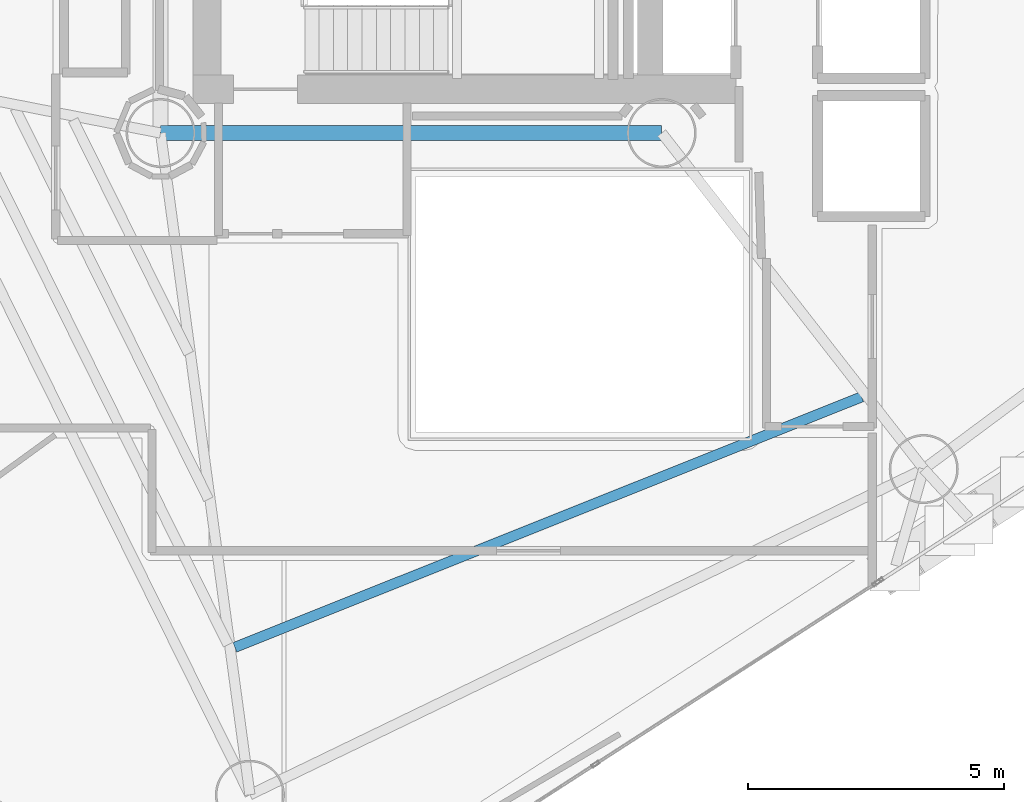
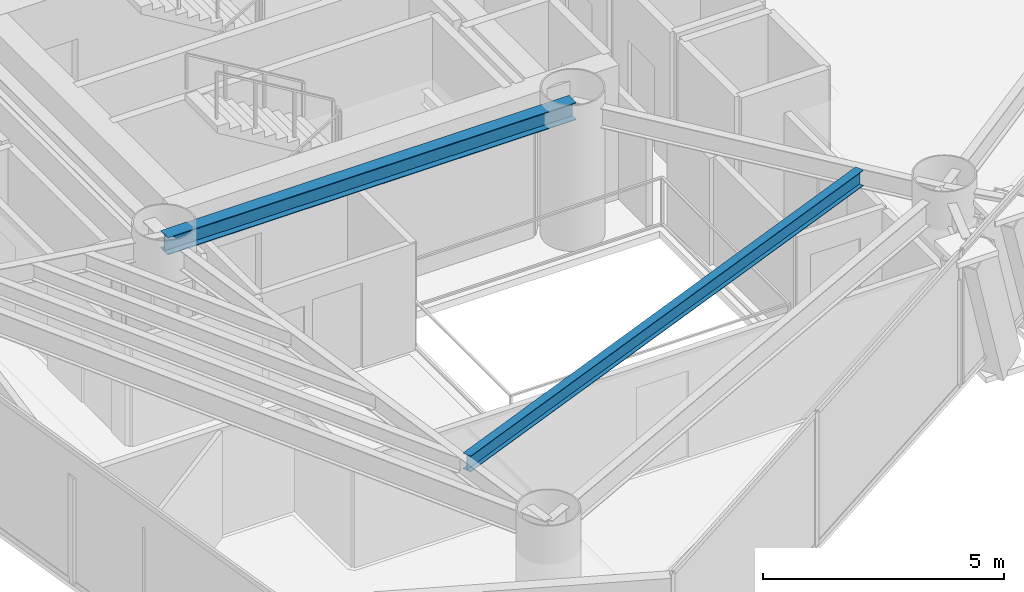
# One storey, part 4 of 22: 2 beams.
"""IFC4 building model written with IfcOpenShell, lengths in metres."""

from ifc_helpers import new_model, si_unit, direction, frame, origin, origin_2d, place, context, subcontext, project, spatial, i_section, extrude, material, material_profile, profile_set, type_object, element, save


model = new_model("IFC4")

# Units and contexts
model_context = context("Model", 3, precision=1e-05, world=origin(), true_north=direction((0.0, 1.0)))
body_context = subcontext(model_context, "Body", "Model", "MODEL_VIEW")
ifc_project = project(units=[si_unit("LENGTHUNIT", "METRE"), si_unit("AREAUNIT", "SQUARE_METRE"), si_unit("VOLUMEUNIT", "CUBIC_METRE"), si_unit("PLANEANGLEUNIT", "RADIAN"), si_unit("MASSUNIT", "GRAM", prefix="KILO")], contexts=[model_context])

# Site, building, storey
site_placement = place(None, origin())
site = spatial("IfcSite", under=ifc_project, at=site_placement, CompositionType="ELEMENT")
building_placement = place(site_placement, origin())
building = spatial("IfcBuilding", under=site, at=building_placement, Name="Qianvela Tower", CompositionType="ELEMENT")
storey_placement = place(building_placement, frame((0.0, 0.0, 180.89990234375)))
storey = spatial("IfcBuildingStorey", under=building, at=storey_placement, Name="L46", CompositionType="ELEMENT", Elevation=180.89990234375)

# Beams
ifc_material_1 = material(Name="Steel Q355B", Category="steel")
ifc_material_profile_1 = material_profile(ifc_material_1, i_section(OverallWidth=0.300048828125, OverallDepth=0.43994140625, WebThickness=0.010986328125, FlangeThickness=0.01806640625, at=origin_2d()), Name="HM440x300x11x18")
ifc_profile_set_1 = profile_set([ifc_material_profile_1], Name="Steel Q355B")
beam_type_1 = type_object("IfcBeamType", Name="BM-HM440-COLL", PredefinedType="BEAM", material=ifc_profile_set_1)
beam_1_placement = place(storey_placement, frame((28.60009765625, 23.85009765625, 3.177978515625), z_axis=(1.0, 0.0, 0.0), x_axis=(0.0, 1.0, 0.0)))
element("IfcBeam", 1, at=beam_1_placement, inside=storey, type_object=beam_type_1, Name="L46 Core Ring Collector Girder CC1", PredefinedType="BEAM", context=body_context, shape_type="SweptSolid", body=[
    extrude(i_section(OverallWidth=0.300048828125, OverallDepth=0.43994140625, WebThickness=0.010986328125, FlangeThickness=0.01806640625, at=origin_2d()), origin(), (0.0, 0.0, 1.0), 9.7998046875),
])
ifc_material_2 = material(Name="Steel Q355B", Category="steel")
ifc_material_profile_2 = material_profile(ifc_material_2, i_section(OverallWidth=0.199951171875, OverallDepth=0.39990234375, WebThickness=0.008056640625, FlangeThickness=0.012939453125, at=origin_2d()), Name="HN400x200x8x13")
ifc_profile_set_2 = profile_set([ifc_material_profile_2], Name="Steel Q355B")
beam_type_2 = type_object("IfcBeamType", Name="BM-HN400-JOIST", PredefinedType="JOIST", material=ifc_profile_set_2)
beam_2_placement = place(storey_placement, frame((30.0517578125, 13.79150390625, 3.197998046875), z_axis=(0.928611849806, 0.371052600584, 0.0), x_axis=(-0.371052600584, 0.928611849806, 0.0)))
element("IfcBeam", 2, at=beam_2_placement, inside=storey, type_object=beam_type_2, Name="L46 Secondary Composite Floor Joist 5.3", PredefinedType="JOIST", context=body_context, shape_type="SweptSolid", body=[
    extrude(i_section(OverallWidth=0.199951171875, OverallDepth=0.39990234375, WebThickness=0.008056640625, FlangeThickness=0.012939453125, at=origin_2d()), origin(), (0.0, 0.0, 1.0), 13.19873046875),
])

save(model, "model.ifc")
